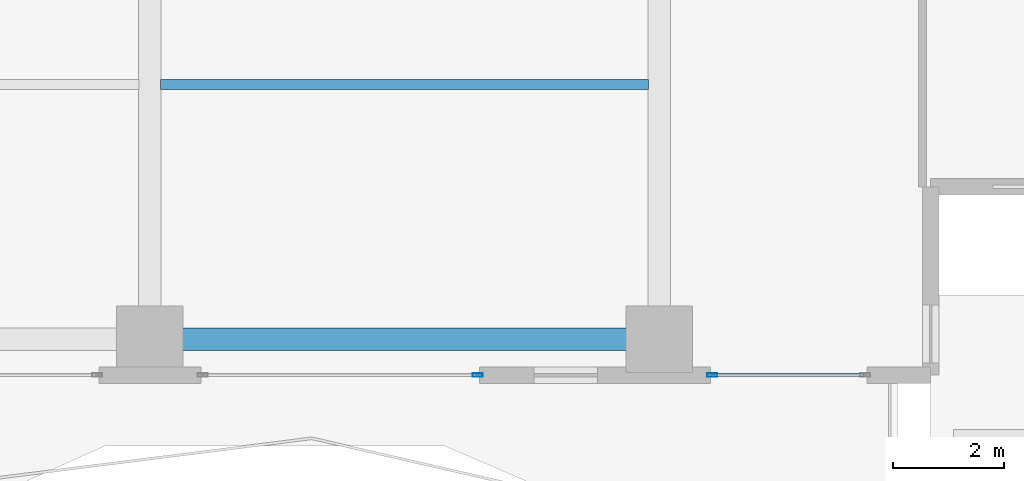
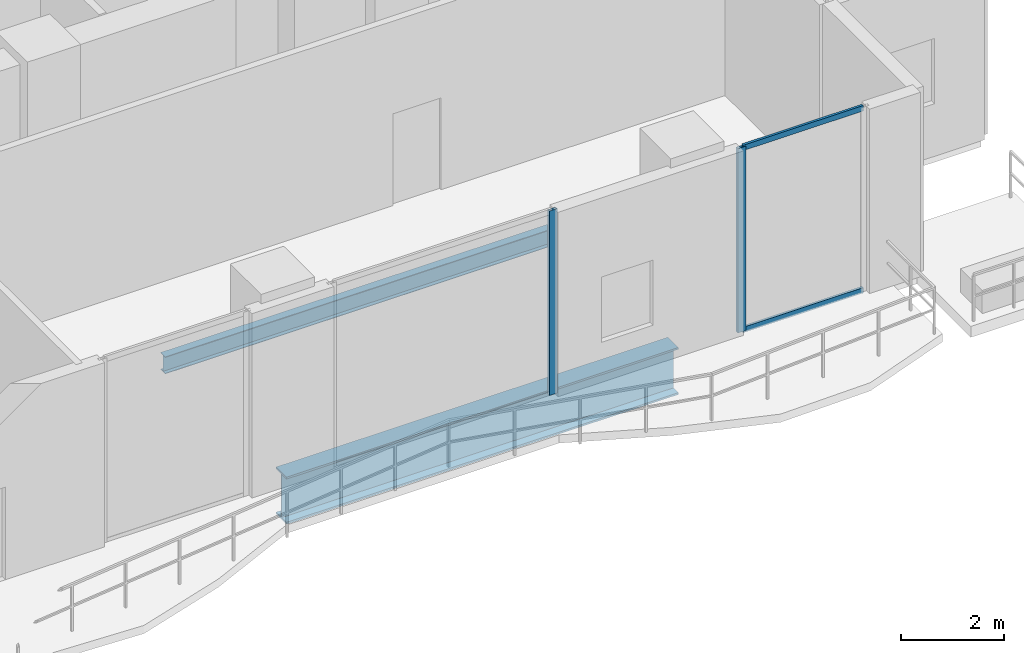
# One storey, part 10 of 33: 4 members, 2 beams, 2 elements without a shape of their own.
"""IFC4 building model written with IfcOpenShell, lengths in metres."""

from ifc_helpers import new_model, si_unit, direction, frame, origin, origin_2d, place, context, subcontext, project, spatial, hollow_rectangle, i_section, extrude, material, layer, layer_set, material_profile, profile_set, type_object, element, aggregate, save


model = new_model("IFC4")

# Units and contexts
model_context = context("Model", 3, precision=1e-05, world=origin(), true_north=direction((0.0, 1.0)))
body_context = subcontext(model_context, "Body", "Model", "MODEL_VIEW")
ifc_project = project(units=[si_unit("LENGTHUNIT", "METRE"), si_unit("AREAUNIT", "SQUARE_METRE"), si_unit("VOLUMEUNIT", "CUBIC_METRE"), si_unit("PLANEANGLEUNIT", "RADIAN"), si_unit("MASSUNIT", "GRAM", prefix="KILO")], contexts=[model_context])

# Site, building, storey
site_placement = place(None, origin())
site = spatial("IfcSite", under=ifc_project, at=site_placement, CompositionType="ELEMENT")
building_placement = place(site_placement, origin())
building = spatial("IfcBuilding", under=site, at=building_placement, Name="Zuhayl Quay Hotel", CompositionType="ELEMENT")
storey_placement = place(building_placement, frame((0.0, 0.0, 168.199951171875)))
storey = spatial("IfcBuildingStorey", under=building, at=storey_placement, Name="L42", CompositionType="ELEMENT", Elevation=168.199951171875)

# Beams
ifc_material_1 = material(Name="Steel ASTM A992 Grade 50", Category="steel")
ifc_material_profile_1 = material_profile(ifc_material_1, i_section(OverallWidth=0.177978515625, OverallDepth=0.406005859375, WebThickness=0.0078125, FlangeThickness=0.0126953125, at=origin_2d()), Name="W16X40")
ifc_profile_set_1 = profile_set([ifc_material_profile_1], Name="Steel ASTM A992 Grade 50")
beam_type_1 = type_object("IfcBeamType", Name="BM_J2B_W16X40", PredefinedType="JOIST", material=ifc_profile_set_1)
beam_1_placement = place(storey_placement, frame((4.7939453125, -2.35009765625, -0.462890625), z_axis=(1.0, 0.0, 0.0), x_axis=(0.0, 1.0, 0.0)))
element("IfcBeam", 1, at=beam_1_placement, inside=storey, type_object=beam_type_1, Name="L42 Floor Beam FJ_L42_7_3", PredefinedType="JOIST", context=body_context, shape_type="SweptSolid", body=[
    extrude(i_section(OverallWidth=0.177978515625, OverallDepth=0.406005859375, WebThickness=0.0078125, FlangeThickness=0.0126953125, at=origin_2d()), origin(), (0.0, 0.0, 1.0), 8.81201171875),
])
ifc_material_2 = material(Name="Steel ASTM A913 Grade 65", Category="steel")
ifc_material_profile_2 = material_profile(ifc_material_2, i_section(OverallWidth=0.404052734375, OverallDepth=1.117919921875, WebThickness=0.026123046875, FlangeThickness=0.044921875, at=origin_2d()), Name="W44X335")
ifc_profile_set_2 = profile_set([ifc_material_profile_2], Name="Steel ASTM A913 Grade 65")
beam_type_2 = type_object("IfcBeamType", Name="BM_TG1_W44X335", PredefinedType="BEAM", material=ifc_profile_set_2)
beam_2_placement = place(storey_placement, frame((4.800048828125, -6.949951171875, -0.81884765625), z_axis=(1.0, 0.0, 0.0), x_axis=(0.0, 1.0, 0.0)))
element("IfcBeam", 2, at=beam_2_placement, inside=storey, type_object=beam_type_2, Name="L42 Floor Beam RG_L42_03", PredefinedType="BEAM", context=body_context, shape_type="SweptSolid", body=[
    extrude(i_section(OverallWidth=0.404052734375, OverallDepth=1.117919921875, WebThickness=0.026123046875, FlangeThickness=0.044921875, at=origin_2d()), origin(), (0.0, 0.0, 1.0), 8.800048828125),
])

# Curtain wall, member
ifc_material_3 = material(Name="Anodised Aluminium 6063-T6", Category="aluminium")
ifc_layer = layer(ifc_material_3, 0.175048828125, Name="Anodised Aluminium 6063-T6", Category="aluminium")
ifc_layer_set = layer_set([ifc_layer], Name="Anodised Aluminium 6063-T6")
curtain_wall_type = type_object("IfcCurtainWallType", Name="CW_SYS_Z3", PredefinedType="USERDEFINED", material=ifc_layer_set)
curtain_wall_1_placement = place(storey_placement, origin())
curtain_wall_1 = element("IfcCurtainWall", 3, at=curtain_wall_1_placement, inside=storey, type_object=curtain_wall_type, Name="L42 Curtain Wall ENV_L42_S_CW1", ObjectType="UNITISED CURTAIN WALL", PredefinedType="USERDEFINED")
ifc_material_4 = material(Name="Black-anodised aluminium 6063-T6", Category="aluminium")
ifc_material_profile_3 = material_profile(ifc_material_4, hollow_rectangle(XDim=0.06494140625, YDim=0.179931640625, WallThickness=0.00341796875, at=origin_2d()), Name="ALU180X65")
ifc_profile_set_3 = profile_set([ifc_material_profile_3], Name="Black-anodised aluminium 6063-T6")
member_type_1 = type_object("IfcMemberType", Name="MB_CW_MUL_180", PredefinedType="MULLION", material=ifc_profile_set_3)
member_1_placement = place(storey_placement, frame((14.75244140625, -7.60009765625, 0.0), z_axis=(0.0, 0.0, 1.0), x_axis=(0.0, -1.0, 0.0)))
member_1 = element("IfcMember", 4, at=member_1_placement, type_object=member_type_1, Name="CW-Z3 mullion 2", PredefinedType="MULLION", context=body_context, shape_type="SweptSolid", body=[
    extrude(hollow_rectangle(XDim=0.06494140625, YDim=0.179931640625, WallThickness=0.00341796875, at=origin_2d()), origin(), (0.0, 0.0, 1.0), 4.380126953125),
])

curtain_wall_2_placement = place(storey_placement, origin())
curtain_wall_2 = element("IfcCurtainWall", 5, at=curtain_wall_2_placement, inside=storey, type_object=curtain_wall_type, Name="L42 Curtain Wall ENV_L42_S_CW2", ObjectType="UNITISED CURTAIN WALL", PredefinedType="USERDEFINED")
member_2_placement = place(storey_placement, frame((10.517578125, -7.60009765625, 0.0), z_axis=(0.0, 0.0, 1.0), x_axis=(0.0, -1.0, 0.0)))
member_2 = element("IfcMember", 6, at=member_2_placement, type_object=member_type_1, Name="CW-Z3 mullion 1", PredefinedType="MULLION", context=body_context, shape_type="SweptSolid", body=[
    extrude(hollow_rectangle(XDim=0.06494140625, YDim=0.179931640625, WallThickness=0.00341796875, at=origin_2d()), origin(), (0.0, 0.0, 1.0), 4.380126953125),
])
aggregate(curtain_wall_2, [member_2])

# Member
ifc_material_profile_4 = material_profile(ifc_material_4, hollow_rectangle(XDim=0.054931640625, YDim=0.1298828125, WallThickness=0.0029296875, at=origin_2d()), Name="ALU130X55")
ifc_profile_set_4 = profile_set([ifc_material_profile_4], Name="Black-anodised aluminium 6063-T6")
member_type_2 = type_object("IfcMemberType", Name="MB_CW_TRN_130", PredefinedType="USERDEFINED", material=ifc_profile_set_4)
member_3_placement = place(storey_placement, frame((17.485107421875, -7.60009765625, 0.027587890625), z_axis=(-1.0, 0.0, 0.0), x_axis=(0.0, -1.0, 0.0)))
member_3 = element("IfcMember", 7, at=member_3_placement, type_object=member_type_2, Name="CW-Z3 transom 1.1", ObjectType="TRANSOM", PredefinedType="USERDEFINED", context=body_context, shape_type="SweptSolid", body=[
    extrude(hollow_rectangle(XDim=0.054931640625, YDim=0.1298828125, WallThickness=0.0029296875, at=origin_2d()), origin(), (0.0, 0.0, 1.0), 2.7001953125),
])

member_4_placement = place(storey_placement, frame((17.485107421875, -7.60009765625, 4.3525390625), z_axis=(-1.0, 0.0, 0.0), x_axis=(0.0, -1.0, 0.0)))
member_4 = element("IfcMember", 8, at=member_4_placement, type_object=member_type_2, Name="CW-Z3 transom 1.2", ObjectType="TRANSOM", PredefinedType="USERDEFINED", context=body_context, shape_type="SweptSolid", body=[
    extrude(hollow_rectangle(XDim=0.054931640625, YDim=0.1298828125, WallThickness=0.0029296875, at=origin_2d()), origin(), (0.0, 0.0, 1.0), 2.7001953125),
])

aggregate(curtain_wall_1, [member_1, member_3, member_4])

save(model, "model.ifc")
